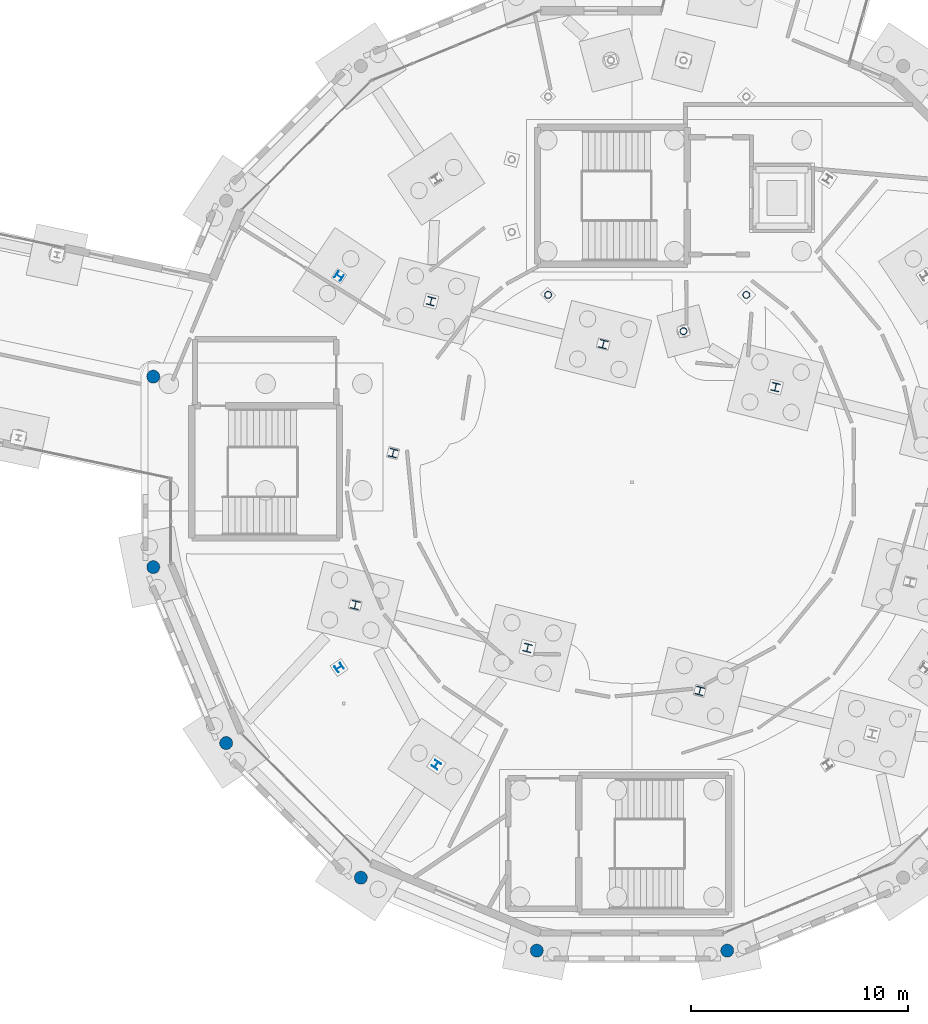
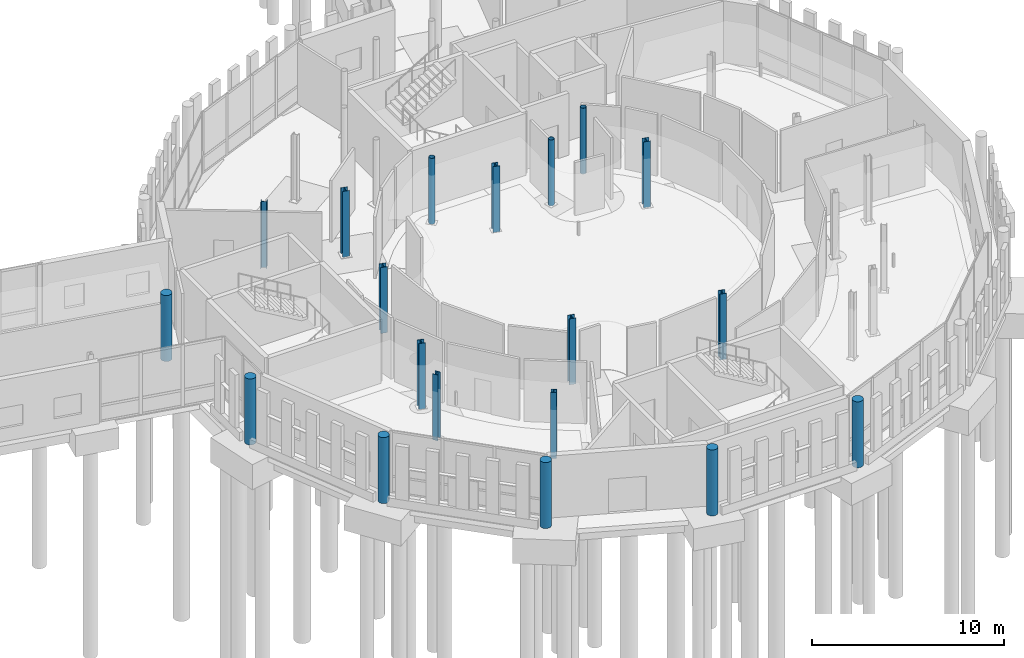
# One storey, part 21 of 113: 19 columns.
"""IFC4 building model written with IfcOpenShell, lengths in metres."""

from ifc_helpers import new_model, si_unit, direction, frame, origin, origin_2d, place, context, subcontext, project, spatial, circle, hollow_circle, i_section, extrude, material, material_profile, profile_set, type_object, element, save


model = new_model("IFC4")

# Units and contexts
model_context = context("Model", 3, precision=1e-05, world=origin(), true_north=direction((0.0, 1.0)))
body_context = subcontext(model_context, "Body", "Model", "MODEL_VIEW")
ifc_project = project(units=[si_unit("LENGTHUNIT", "METRE"), si_unit("AREAUNIT", "SQUARE_METRE"), si_unit("VOLUMEUNIT", "CUBIC_METRE"), si_unit("PLANEANGLEUNIT", "RADIAN"), si_unit("MASSUNIT", "GRAM", prefix="KILO")], contexts=[model_context])

# Site, building, storey
site_placement = place(None, origin())
site = spatial("IfcSite", under=ifc_project, at=site_placement, CompositionType="ELEMENT")
building_placement = place(site_placement, origin())
building = spatial("IfcBuilding", under=site, at=building_placement, Name="Wrenclough Park School", CompositionType="ELEMENT")
storey_placement = place(building_placement, origin())
storey = spatial("IfcBuildingStorey", under=building, at=storey_placement, Name="L00", CompositionType="ELEMENT", Elevation=0.0)

# Columns
ifc_material_1 = material(Name="Structural steel S355", Category="steel")
ifc_material_profile_1 = material_profile(ifc_material_1, hollow_circle(Radius=0.161865234375, WallThickness=0.01611328125, at=origin_2d()), Name="CHS 323.9x16.0")
ifc_profile_set_1 = profile_set([ifc_material_profile_1], Name="Structural steel S355")
column_type_1 = type_object("IfcColumnType", Name="STR-COL-CHS324", PredefinedType="COLUMN", material=ifc_profile_set_1)
for number, where, z_axis, x_axis, name in (
    (1, (151.63916015625, 34.63916015625, 0.0), (0.0, 0.0, 1.0), (0.707106781187, -0.707106781187, 0.0), "D1-SH L00 column D1SH-08"),
    (2, (157.869384765625, 32.9697265625, 0.0), (0.0, 0.0, 1.0), (0.965925826289, 0.258819045103, 0.0), "D1-SH L00 column D1SH-10"),
    (3, (160.7607421875, 34.63916015625, 0.0), (0.0, 0.0, 1.0), (0.707106781187, 0.707106781187, 0.0), "D1-SH L00 column D1SH-11"),
):
    element("IfcColumn", number, at=place(storey_placement, frame(where, z_axis=z_axis, x_axis=x_axis)), inside=storey, type_object=column_type_1, Name=name, PredefinedType="COLUMN", context=body_context, shape_type="SweptSolid", body=[
        extrude(hollow_circle(Radius=0.161865234375, WallThickness=0.01611328125, at=origin_2d()), origin(), (0.0, 0.0, 1.0), 4.199951171875),
    ])
ifc_material_2 = material(Name="Concrete C40/50", Category="concrete")
ifc_material_profile_2 = material_profile(ifc_material_2, circle(Radius=0.300048828125, at=origin_2d()), Name="RC COL D600")
ifc_profile_set_2 = profile_set([ifc_material_profile_2], Name="Concrete C40/50")
column_type_2 = type_object("IfcColumnType", Name="STR-COL-RCD600", PredefinedType="COLUMN", material=ifc_profile_set_2)
for number, where, z_axis, x_axis, name in (
    (4, (133.4814453125, 30.8798828125, 0.0), (0.0, 0.0, 1.0), (-0.195090322016, -0.980785280403, 0.0), "D1 L00 column D1-OUT-08"),
    (5, (133.4814453125, 22.1201171875, 0.0), (0.0, 0.0, 1.0), (0.195090322016, -0.980785280403, 0.0), "D1 L00 column D1-OUT-09"),
    (6, (136.83349609375, 14.02734375, 0.0), (0.0, 0.0, 1.0), (0.55557023302, -0.831469612303, 0.0), "D1 L00 column D1-OUT-10"),
    (7, (143.02734375, 7.83349609375, 0.0), (0.0, 0.0, 1.0), (0.831469612303, -0.55557023302, 0.0), "D1 L00 column D1-OUT-11"),
    (8, (151.1201171875, 4.4814453125, 0.0), (0.0, 0.0, 1.0), (0.980785280403, -0.195090322016, 0.0), "D1 L00 column D1-OUT-12"),
    (9, (159.8798828125, 4.4814453125, 0.0), (0.0, 0.0, 1.0), (0.980785280403, 0.195090322016, 0.0), "D1 L00 column D1-OUT-13"),
):
    element("IfcColumn", number, at=place(storey_placement, frame(where, z_axis=z_axis, x_axis=x_axis)), inside=storey, type_object=column_type_2, Name=name, PredefinedType="COLUMN", context=body_context, shape_type="SweptSolid", body=[
        extrude(circle(Radius=0.300048828125, at=origin_2d()), origin(), (0.0, 0.0, 1.0), 4.199951171875),
    ])
ifc_material_profile_3 = material_profile(ifc_material_1, i_section(OverallWidth=0.311279296875, OverallDepth=0.3271484375, WebThickness=0.015869140625, FlangeThickness=0.02490234375, FilletRadius=0.01513671875, at=origin_2d()), Name="UKC 305x305x158")
ifc_profile_set_3 = profile_set([ifc_material_profile_3], Name="Structural steel S355")
column_type_3 = type_object("IfcColumnType", Name="STR-COL-UKC305B", PredefinedType="COLUMN", material=ifc_profile_set_3)
for number, where, z_axis, x_axis, name in (
    (10, (142.0302734375, 35.500244140625, 0.0), (0.0, 0.0, 1.0), (-0.55557023302, -0.831469612303, 0.0), "D1 L00 column D1-MID-07"),
    (11, (142.0302734375, 17.499755859375, 0.0), (0.0, 0.0, 1.0), (0.55557023302, -0.831469612303, 0.0), "D1 L00 column D1-MID-10"),
    (12, (146.499755859375, 13.0302734375, 0.0), (0.0, 0.0, 1.0), (0.831469612303, -0.55557023302, 0.0), "D1 L00 column D1-MID-11"),
):
    element("IfcColumn", number, at=place(storey_placement, frame(where, z_axis=z_axis, x_axis=x_axis)), inside=storey, type_object=column_type_3, Name=name, PredefinedType="COLUMN", context=body_context, shape_type="SweptSolid", body=[
        extrude(i_section(OverallWidth=0.311279296875, OverallDepth=0.3271484375, WebThickness=0.015869140625, FlangeThickness=0.02490234375, FilletRadius=0.01513671875, at=origin_2d()), origin(), (0.0, 0.0, 1.0), 4.199951171875),
    ])
ifc_material_profile_4 = material_profile(ifc_material_1, i_section(OverallWidth=0.37255859375, OverallDepth=0.3681640625, WebThickness=0.014404296875, FlangeThickness=0.023681640625, FilletRadius=0.01513671875, at=origin_2d()), Name="UKC 356x368x177")
ifc_profile_set_4 = profile_set([ifc_material_profile_4], Name="Structural steel S355")
column_type_4 = type_object("IfcColumnType", Name="STR-COL-UKC356", PredefinedType="COLUMN", material=ifc_profile_set_4)
for number, where, z_axis, x_axis, name in (
    (13, (142.77197265625, 20.37744140625, 0.0), (0.0, 0.0, 1.0), (0.970295726276, -0.2419218956, 0.0), "D1 L00 column D1HR-0-0"),
    (14, (144.513916015625, 27.363525390625, 0.0), (0.0, 0.0, 1.0), (0.970295726276, -0.2419218956, 0.0), "D1 L00 column D1HR-0-1"),
    (15, (146.255615234375, 34.349609375, 0.0), (0.0, 0.0, 1.0), (0.970295726276, -0.2419218956, 0.0), "D1 L00 column D1HR-0-2"),
    (16, (150.696044921875, 18.401611328125, 0.0), (0.0, 0.0, 1.0), (0.970295726276, -0.2419218956, 0.0), "D1 L00 column D1HR-1-0"),
    (17, (154.1796875, 32.3740234375, 0.0), (0.0, 0.0, 1.0), (0.970295726276, -0.2419218956, 0.0), "D1 L00 column D1HR-1-2"),
    (18, (158.6201171875, 16.426025390625, 0.0), (0.0, 0.0, 1.0), (0.970295726276, -0.2419218956, 0.0), "D1 L00 column D1HR-2-0"),
    (19, (162.10400390625, 30.398193359375, 0.0), (0.0, 0.0, 1.0), (0.970295726276, -0.2419218956, 0.0), "D1 L00 column D1HR-2-2"),
):
    element("IfcColumn", number, at=place(storey_placement, frame(where, z_axis=z_axis, x_axis=x_axis)), inside=storey, type_object=column_type_4, Name=name, PredefinedType="COLUMN", context=body_context, shape_type="SweptSolid", body=[
        extrude(i_section(OverallWidth=0.37255859375, OverallDepth=0.3681640625, WebThickness=0.014404296875, FlangeThickness=0.023681640625, FilletRadius=0.01513671875, at=origin_2d()), origin(), (0.0, 0.0, 1.0), 4.199951171875),
    ])

save(model, "model.ifc")
